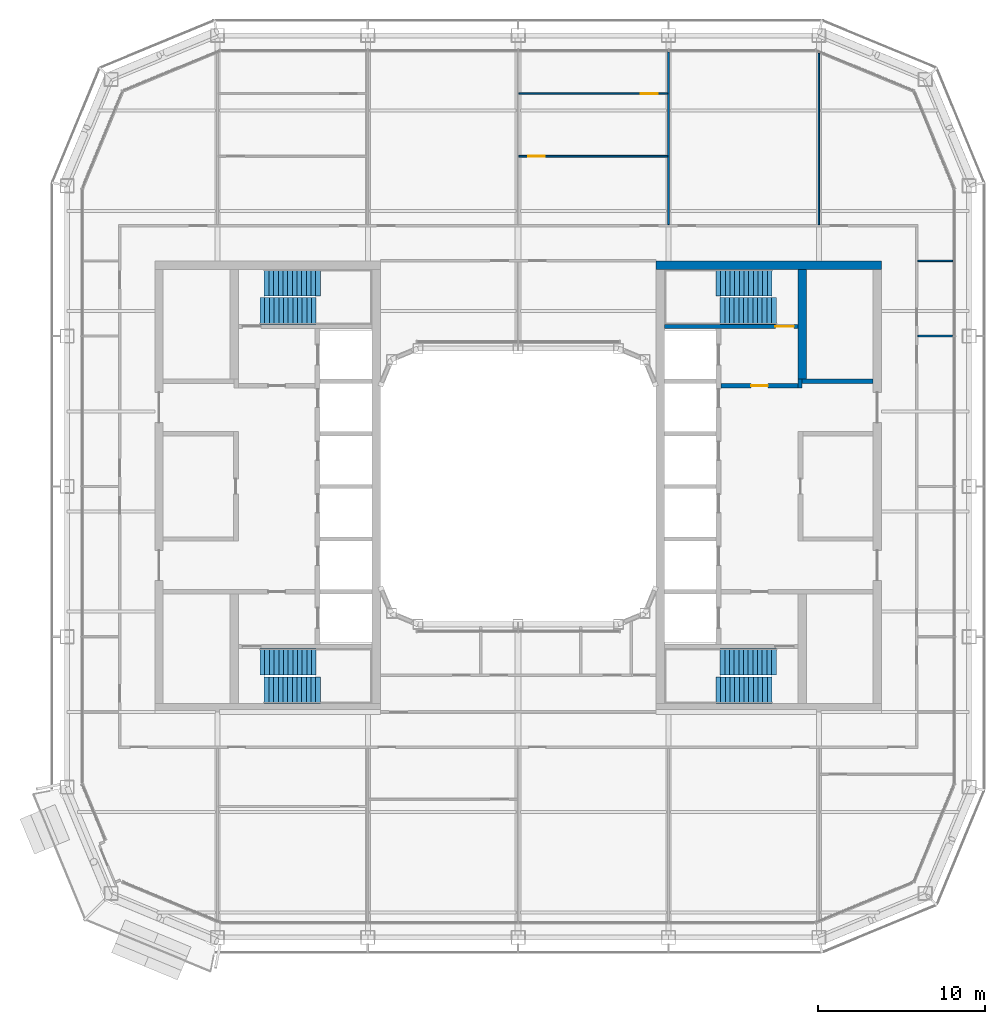
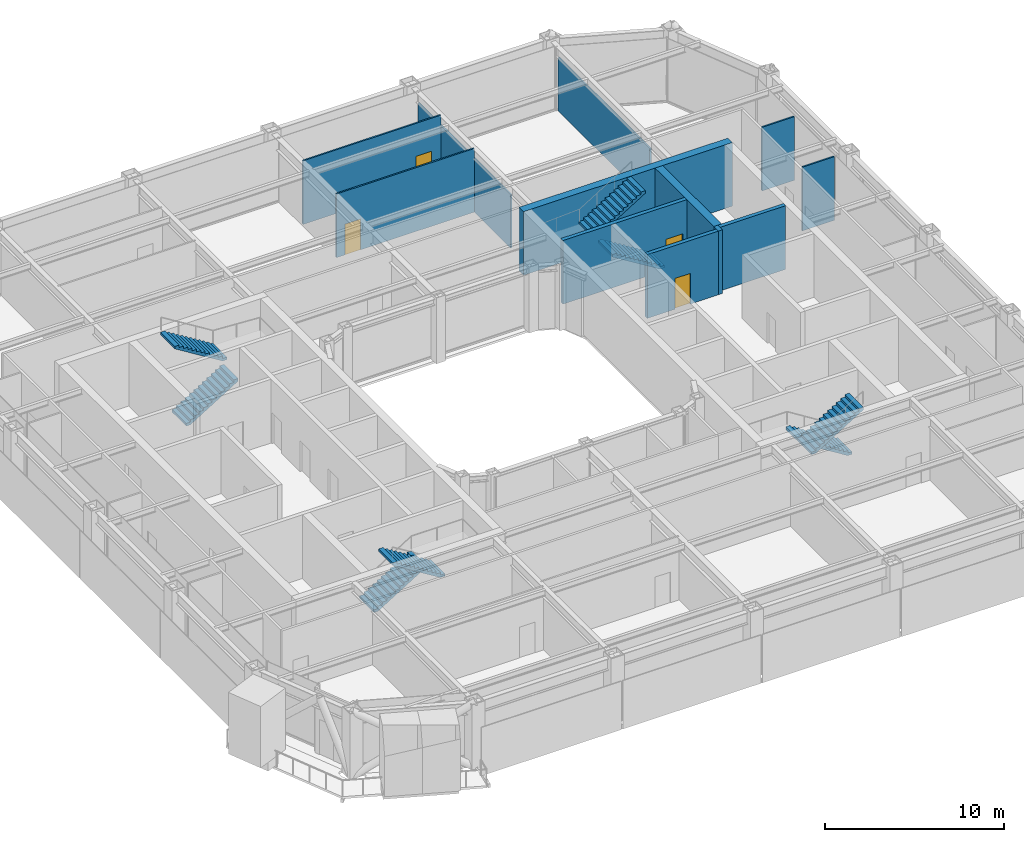
# One storey, part 16 of 23: 12 walls, 8 stair flights, 4 doors, 4 openings, 4 elements without a shape of their own.
"""IFC4 building model written with IfcOpenShell, lengths in metres."""

from ifc_helpers import new_model, si_unit, direction, frame, frame_2d, origin, place, context, subcontext, project, spatial, polyline, rectangle, outline, extrude, material, layer, layer_set, type_object, element, fill, aggregate, save


model = new_model("IFC4")

# Units and contexts
model_context = context("Model", 3, precision=1e-05, world=origin(), true_north=direction((0.0, 1.0)))
body_context = subcontext(model_context, "Body", "Model", "MODEL_VIEW")
ifc_project = project(units=[si_unit("LENGTHUNIT", "METRE"), si_unit("AREAUNIT", "SQUARE_METRE"), si_unit("VOLUMEUNIT", "CUBIC_METRE"), si_unit("PLANEANGLEUNIT", "RADIAN"), si_unit("MASSUNIT", "GRAM", prefix="KILO")], contexts=[model_context])

# Site, building, storey
site_placement = place(None, origin())
site = spatial("IfcSite", under=ifc_project, at=site_placement, CompositionType="ELEMENT")
building_placement = place(site_placement, origin())
building = spatial("IfcBuilding", under=site, at=building_placement, Name="Siwar Civic Tower", CompositionType="ELEMENT")
storey_placement = place(building_placement, frame((0.0, 0.0, 233.199951171875)))
storey = spatial("IfcBuildingStorey", under=building, at=storey_placement, Name="L50", CompositionType="ELEMENT", Elevation=233.199951171875)

# Wall, opening, door
ifc_material_1 = material(Name="Concrete C60/75", Category="concrete")
ifc_layer_1 = layer(ifc_material_1, 0.25)
ifc_layer_set_1 = layer_set([ifc_layer_1], Name="Concrete C60/75")
wall_type_1 = type_object("IfcWallType", Name="CORE-WALL-RC250", PredefinedType="SHEAR", material=ifc_layer_set_1)
wall_1_placement = place(storey_placement, frame((12.14990234375, 6.02490234375, 0.0), z_axis=(0.0, 0.0, 1.0), x_axis=(1.0, 0.0, 0.0)))
wall_1 = element("IfcWall", 1, at=wall_1_placement, inside=storey, type_object=wall_type_1, Name="Core wall E", PredefinedType="SHEAR", context=body_context, shape_type="SweptSolid", body=[
    extrude(rectangle(XDim=4.60009765625, YDim=0.25, at=frame_2d((2.300048828125, 0.0))), origin(), (0.0, 0.0, 1.0), 4.35009765625),
])
opening_1_placement = place(wall_1_placement, frame((1.800048828125, 0.0, 0.0)))
opening_1 = element("IfcOpeningElement", 2, at=opening_1_placement, cuts=wall_1, Name="Opening L50-CE01", PredefinedType="OPENING", context=body_context, shape_type="SweptSolid", body=[
    extrude(rectangle(XDim=1.0, YDim=2.10009765625, at=frame_2d((0.5, 1.050048828125))), frame((0.0, 0.135009765625, 0.0), z_axis=(0.0, -1.0, 0.0), x_axis=(1.0, 0.0, 0.0)), (0.0, 0.0, 1.0), 0.27001953125),
])
ifc_material_2 = material(Name="Steel door leaf", Category="steel")
door_type_1 = type_object("IfcDoorType", Name="CORE-DOOR-FD30S", OperationType="SINGLE_SWING_LEFT", PredefinedType="DOOR", material=ifc_material_2)
door_1_placement = place(opening_1_placement, origin())
door_1 = element("IfcDoor", 3, at=door_1_placement, inside=storey, type_object=door_type_1, Name="Firefighting lobby door L50-CE01", OperationType="SINGLE_SWING_RIGHT", OverallHeight=2.10009765625, OverallWidth=1.0, PredefinedType="DOOR", context=body_context, shape_type="SweptSolid", body=[
    extrude(rectangle(XDim=1.0, YDim=2.10009765625, at=frame_2d((0.5, 1.050048828125))), frame((0.0, 0.02490234375, 0.0), z_axis=(0.0, -1.0, 0.0), x_axis=(1.0, 0.0, 0.0)), (0.0, 0.0, 1.0), 0.050048828125),
])
fill(opening_1, door_1)

# Walls
wall_2_placement = place(storey_placement, frame((16.875, 5.89990234375, 0.0), z_axis=(0.0, 0.0, 1.0), x_axis=(0.0, 1.0, 0.0)))
element("IfcWall", 4, at=wall_2_placement, inside=storey, type_object=wall_type_1, Name="Core wall E", PredefinedType="SHEAR", context=body_context, shape_type="SweptSolid", body=[
    extrude(rectangle(XDim=0.525146484375, YDim=0.25, at=frame_2d((0.2626953125, 0.0))), origin(), (0.0, 0.0, 1.0), 4.35009765625),
])
wall_3_placement = place(storey_placement, frame((17.0, 6.300048828125, 0.0), z_axis=(0.0, 0.0, 1.0), x_axis=(1.0, 0.0, 0.0)))
element("IfcWall", 5, at=wall_3_placement, inside=storey, type_object=wall_type_1, Name="Core wall E", PredefinedType="SHEAR", context=body_context, shape_type="SweptSolid", body=[
    extrude(rectangle(XDim=4.25, YDim=0.25, at=frame_2d((2.125, 0.0))), origin(), (0.0, 0.0, 1.0), 4.35009765625),
])

# Wall, opening, door
wall_4_placement = place(storey_placement, frame((8.75, 9.574951171875, 0.0), z_axis=(0.0, 0.0, 1.0), x_axis=(1.0, 0.0, 0.0)))
wall_4 = element("IfcWall", 6, at=wall_4_placement, inside=storey, type_object=wall_type_1, Name="Core wall E", PredefinedType="SHEAR", context=body_context, shape_type="SweptSolid", body=[
    extrude(rectangle(XDim=8.0, YDim=0.25, at=frame_2d((4.0, 0.0))), origin(), (0.0, 0.0, 1.0), 4.35009765625),
])
opening_2_placement = place(wall_4_placement, frame((6.64990234375, 0.0, 0.0)))
opening_2 = element("IfcOpeningElement", 7, at=opening_2_placement, cuts=wall_4, Name="Opening L50-CE03", PredefinedType="OPENING", context=body_context, shape_type="SweptSolid", body=[
    extrude(rectangle(XDim=1.10009765625, YDim=2.10009765625, at=frame_2d((0.550048828125, 1.050048828125))), frame((0.0, 0.135009765625, 0.0), z_axis=(0.0, -1.0, 0.0), x_axis=(1.0, 0.0, 0.0)), (0.0, 0.0, 1.0), 0.27001953125),
])
ifc_material_3 = material(Name="Steel door leaf", Category="steel")
door_type_2 = type_object("IfcDoorType", Name="CORE-DOOR-FD60S", OperationType="SINGLE_SWING_LEFT", PredefinedType="DOOR", material=ifc_material_3)
door_2_placement = place(opening_2_placement, origin())
door_2 = element("IfcDoor", 8, at=door_2_placement, inside=storey, type_object=door_type_2, Name="Stair door L50-CE03", OperationType="SINGLE_SWING_LEFT", OverallHeight=2.10009765625, OverallWidth=1.10009765625, PredefinedType="DOOR", context=body_context, shape_type="SweptSolid", body=[
    extrude(rectangle(XDim=1.10009765625, YDim=2.10009765625, at=frame_2d((0.550048828125, 1.050048828125))), frame((0.0, 0.02490234375, 0.0), z_axis=(0.0, -1.0, 0.0), x_axis=(1.0, 0.0, 0.0)), (0.0, 0.0, 1.0), 0.050048828125),
])
fill(opening_2, door_2)

# Walls
ifc_material_4 = material(Name="Concrete C60/75", Category="concrete")
ifc_layer_2 = layer(ifc_material_4, 0.5)
ifc_layer_set_2 = layer_set([ifc_layer_2], Name="Concrete C60/75")
wall_type_2 = type_object("IfcWallType", Name="CORE-WALL-RC500", PredefinedType="SHEAR", material=ifc_layer_set_2)
wall_5_placement = place(storey_placement, frame((17.0, 6.425048828125, 0.0), z_axis=(0.0, 0.0, 1.0), x_axis=(0.0, 1.0, 0.0)))
element("IfcWall", 9, at=wall_5_placement, inside=storey, type_object=wall_type_2, Name="Core wall E", PredefinedType="SHEAR", context=body_context, shape_type="SweptSolid", body=[
    extrude(rectangle(XDim=6.574951171875, YDim=0.5, at=frame_2d((3.28759765625, 0.0))), origin(), (0.0, 0.0, 1.0), 4.35009765625),
])
wall_6_placement = place(storey_placement, frame((8.25, 13.25, 0.0), z_axis=(0.0, 0.0, 1.0), x_axis=(1.0, 0.0, 0.0)))
element("IfcWall", 10, at=wall_6_placement, inside=storey, type_object=wall_type_2, Name="Core wall E", PredefinedType="SHEAR", context=body_context, shape_type="SweptSolid", body=[
    extrude(rectangle(XDim=13.5, YDim=0.5, at=frame_2d((6.75, 0.0))), origin(), (0.0, 0.0, 1.0), 4.35009765625),
])
ifc_material_5 = material(Name="Gypsum board on steel studs", Category="steel")
ifc_layer_3 = layer(ifc_material_5, 0.10009765625)
ifc_layer_set_3 = layer_set([ifc_layer_3], Name="Gypsum board on steel studs")
wall_type_3 = type_object("IfcWallType", Name="PARTITION 100 GYPSUM", PredefinedType="PARTITIONING", material=ifc_layer_set_3)
for number, where, z_axis, x_axis, name in (
    (11, (23.925048828125, 9.0, 0.0), (0.0, 0.0, 1.0), (1.0, 0.0, 0.0), "L50/wall/P15"),
    (12, (23.925048828125, 13.5, 0.0), (0.0, 0.0, 1.0), (1.0, 0.0, 0.0), "L50/wall/P17"),
):
    element("IfcWall", number, at=place(storey_placement, frame(where, z_axis=z_axis, x_axis=x_axis)), inside=storey, type_object=wall_type_3, Name=name, PredefinedType="PARTITIONING", context=body_context, shape_type="SweptSolid", body=[
        extrude(rectangle(XDim=2.0849609375, YDim=0.10009765625, at=frame_2d((1.04248046875, 0.0))), origin(), (0.0, 0.0, 1.0), 4.35009765625),
    ])

# Wall, opening, door
wall_7_placement = place(storey_placement, frame((0.050048828125, 19.763916015625, 0.0), z_axis=(0.0, 0.0, 1.0), x_axis=(1.0, 0.0, 0.0)))
wall_7 = element("IfcWall", 13, at=wall_7_placement, inside=storey, type_object=wall_type_3, Name="L50/wall/P21", PredefinedType="PARTITIONING", context=body_context, shape_type="SweptSolid", body=[
    extrude(rectangle(XDim=8.89990234375, YDim=0.10009765625, at=frame_2d((4.449951171875, 0.0))), origin(), (0.0, 0.0, 1.0), 4.35009765625),
])
opening_3_placement = place(wall_7_placement, frame((0.550048828125, 0.0, 0.0)))
opening_3 = element("IfcOpeningElement", 14, at=opening_3_placement, cuts=wall_7, Name="Opening D2", PredefinedType="OPENING", context=body_context, shape_type="SweptSolid", body=[
    extrude(rectangle(XDim=1.0, YDim=2.10009765625, at=frame_2d((0.5, 1.050048828125))), frame((0.0, 0.06005859375, 0.0), z_axis=(0.0, -1.0, 0.0), x_axis=(1.0, 0.0, 0.0)), (0.0, 0.0, 1.0), 0.1201171875),
])
ifc_material_6 = material(Name="Timber, painted", Category="wood")
door_type_3 = type_object("IfcDoorType", Name="DOOR 1000 X 2100", OperationType="SINGLE_SWING_LEFT", PredefinedType="DOOR", material=ifc_material_6)
door_3_placement = place(opening_3_placement, origin())
door_3 = element("IfcDoor", 15, at=door_3_placement, inside=storey, type_object=door_type_3, Name="L50-D06", OperationType="SINGLE_SWING_RIGHT", OverallHeight=2.10009765625, OverallWidth=1.0, PredefinedType="DOOR", context=body_context, shape_type="SweptSolid", body=[
    extrude(rectangle(XDim=1.0, YDim=2.10009765625, at=frame_2d((0.5, 1.050048828125))), frame((0.0, 0.02490234375, 0.0), z_axis=(0.0, -1.0, 0.0), x_axis=(1.0, 0.0, 0.0)), (0.0, 0.0, 1.0), 0.050048828125),
])
fill(opening_3, door_3)

wall_8_placement = place(storey_placement, frame((0.050048828125, 23.511962890625, 0.0), z_axis=(0.0, 0.0, 1.0), x_axis=(1.0, 0.0, 0.0)))
wall_8 = element("IfcWall", 16, at=wall_8_placement, inside=storey, type_object=wall_type_3, Name="L50/wall/P23", PredefinedType="PARTITIONING", context=body_context, shape_type="SweptSolid", body=[
    extrude(rectangle(XDim=8.89990234375, YDim=0.10009765625, at=frame_2d((4.449951171875, 0.0))), origin(), (0.0, 0.0, 1.0), 4.35009765625),
])
opening_4_placement = place(wall_8_placement, frame((7.300048828125, 0.0, 0.0)))
opening_4 = element("IfcOpeningElement", 17, at=opening_4_placement, cuts=wall_8, Name="Opening D2", PredefinedType="OPENING", context=body_context, shape_type="SweptSolid", body=[
    extrude(rectangle(XDim=1.0, YDim=2.10009765625, at=frame_2d((0.5, 1.050048828125))), frame((0.0, 0.06005859375, 0.0), z_axis=(0.0, -1.0, 0.0), x_axis=(1.0, 0.0, 0.0)), (0.0, 0.0, 1.0), 0.1201171875),
])
door_4_placement = place(opening_4_placement, origin())
door_4 = element("IfcDoor", 18, at=door_4_placement, inside=storey, type_object=door_type_3, Name="L50-D07", OperationType="SINGLE_SWING_LEFT", OverallHeight=2.10009765625, OverallWidth=1.0, PredefinedType="DOOR", context=body_context, shape_type="SweptSolid", body=[
    extrude(rectangle(XDim=1.0, YDim=2.10009765625, at=frame_2d((0.5, 1.050048828125))), frame((0.0, 0.02490234375, 0.0), z_axis=(0.0, -1.0, 0.0), x_axis=(1.0, 0.0, 0.0)), (0.0, 0.0, 1.0), 0.050048828125),
])
fill(opening_4, door_4)

# Walls
wall_9_placement = place(storey_placement, frame((9.0, 15.675048828125, 0.0), z_axis=(0.0, 0.0, 1.0), x_axis=(0.0, 1.0, 0.0)))
element("IfcWall", 19, at=wall_9_placement, inside=storey, type_object=wall_type_3, Name="L50/wall/P36", PredefinedType="PARTITIONING", context=body_context, shape_type="SweptSolid", body=[
    extrude(rectangle(XDim=10.3349609375, YDim=0.10009765625, at=frame_2d((5.16748046875, 0.0))), origin(), (0.0, 0.0, 1.0), 3.650146484375),
])
wall_10_placement = place(storey_placement, frame((18.0, 15.675048828125, 0.0), z_axis=(0.0, 0.0, 1.0), x_axis=(0.0, 1.0, 0.0)))
element("IfcWall", 20, at=wall_10_placement, inside=storey, type_object=wall_type_3, Name="L50/wall/P38", PredefinedType="PARTITIONING", context=body_context, shape_type="SweptSolid", body=[
    extrude(rectangle(XDim=10.2529296875, YDim=0.10009765625, at=frame_2d((5.12646484375, 0.0))), origin(), (0.0, 0.0, 1.0), 3.650146484375),
])

# Stair, stair flights
ifc_material_7 = material(Name="Concrete C40/50", Category="concrete")
stair_type = type_object("IfcStairType", Name="CORE-STAIR", PredefinedType="TWO_STRAIGHT_RUN_STAIR", material=ifc_material_7)
stair_1_placement = place(storey_placement, origin())
stair_1 = element("IfcStair", 21, at=stair_1_placement, inside=storey, type_object=stair_type, Name="Exit stair ST1", PredefinedType="TWO_STRAIGHT_RUN_STAIR")
ifc_material_8 = material(Name="Concrete C40/50", Category="concrete")
stair_flight_type = type_object("IfcStairFlightType", Name="CORE-STAIR-FLIGHT", PredefinedType="STRAIGHT", material=ifc_material_8)
stair_flight_1_placement = place(storey_placement, frame((-15.449951171875, 10.5, 0.0), z_axis=(0.0, 0.0, 1.0), x_axis=(1.0, 0.0, 0.0)))
stair_flight_1 = element("IfcStairFlight", 22, at=stair_flight_1_placement, type_object=stair_flight_type, Name="ST1 flight 1", NumberOfRisers=13, NumberOfTreads=12, PredefinedType="STRAIGHT", RiserHeight=0.173076923, TreadLength=0.28, context=body_context, shape_type="SweptSolid", body=[
    extrude(outline(polyline([(0.0, 0.0), (0.0, 0.173095703125), (0.280029296875, 0.173095703125), (0.280029296875, 0.34619140625), (0.56005859375, 0.34619140625), (0.56005859375, 0.519287109375), (0.840087890625, 0.519287109375), (0.840087890625, 0.6923828125), (1.1201171875, 0.6923828125), (1.1201171875, 0.865478515625), (1.39990234375, 0.865478515625), (1.39990234375, 1.03857421875), (1.679931640625, 1.03857421875), (1.679931640625, 1.21142578125), (1.9599609375, 1.21142578125), (1.9599609375, 1.384521484375), (2.239990234375, 1.384521484375), (2.239990234375, 1.5576171875), (2.52001953125, 1.5576171875), (2.52001953125, 1.730712890625), (2.800048828125, 1.730712890625), (2.800048828125, 1.90380859375), (3.080078125, 1.90380859375), (3.080078125, 2.076904296875), (3.360107421875, 2.076904296875), (3.360107421875, 2.25), (3.360107421875, 1.900634765625), (0.28515625, 0.0), (0.0, 0.0)])), frame((0.0, 0.800048828125, 0.0), z_axis=(0.0, -1.0, 0.0), x_axis=(1.0, 0.0, 0.0)), (0.0, 0.0, 1.0), 1.60009765625),
])
stair_flight_2_placement = place(storey_placement, frame((-11.840087890625, 12.199951171875, 2.25), z_axis=(0.0, 0.0, 1.0), x_axis=(-1.0, 0.0, 0.0)))
stair_flight_2 = element("IfcStairFlight", 23, at=stair_flight_2_placement, type_object=stair_flight_type, Name="ST1 flight 2", NumberOfRisers=13, NumberOfTreads=12, PredefinedType="STRAIGHT", RiserHeight=0.173076923, TreadLength=0.28, context=body_context, shape_type="SweptSolid", body=[
    extrude(outline(polyline([(0.0, 0.0), (0.0, 0.173095703125), (0.280029296875, 0.173095703125), (0.280029296875, 0.34619140625), (0.56005859375, 0.34619140625), (0.56005859375, 0.519287109375), (0.840087890625, 0.519287109375), (0.840087890625, 0.6923828125), (1.1201171875, 0.6923828125), (1.1201171875, 0.865478515625), (1.39990234375, 0.865478515625), (1.39990234375, 1.03857421875), (1.679931640625, 1.03857421875), (1.679931640625, 1.21142578125), (1.9599609375, 1.21142578125), (1.9599609375, 1.384521484375), (2.239990234375, 1.384521484375), (2.239990234375, 1.5576171875), (2.52001953125, 1.5576171875), (2.52001953125, 1.730712890625), (2.800048828125, 1.730712890625), (2.800048828125, 1.90380859375), (3.080078125, 1.90380859375), (3.080078125, 2.076904296875), (3.360107421875, 2.076904296875), (3.360107421875, 2.25), (3.360107421875, 1.900634765625), (0.28515625, 0.0), (0.0, 0.0)])), frame((0.0, 0.800048828125, 0.0), z_axis=(0.0, -1.0, 0.0), x_axis=(1.0, 0.0, 0.0)), (0.0, 0.0, 1.0), 1.60009765625),
])
aggregate(stair_1, [stair_flight_1, stair_flight_2])

stair_2_placement = place(storey_placement, origin())
stair_2 = element("IfcStair", 24, at=stair_2_placement, inside=storey, type_object=stair_type, Name="Exit stair ST2", PredefinedType="TWO_STRAIGHT_RUN_STAIR")
stair_flight_3_placement = place(storey_placement, frame((-15.449951171875, -10.5, 0.0), z_axis=(0.0, 0.0, 1.0), x_axis=(1.0, 0.0, 0.0)))
stair_flight_3 = element("IfcStairFlight", 25, at=stair_flight_3_placement, type_object=stair_flight_type, Name="ST2 flight 1", NumberOfRisers=13, NumberOfTreads=12, PredefinedType="STRAIGHT", RiserHeight=0.173076923, TreadLength=0.28, context=body_context, shape_type="SweptSolid", body=[
    extrude(outline(polyline([(0.0, 0.0), (0.0, 0.173095703125), (0.280029296875, 0.173095703125), (0.280029296875, 0.34619140625), (0.56005859375, 0.34619140625), (0.56005859375, 0.519287109375), (0.840087890625, 0.519287109375), (0.840087890625, 0.6923828125), (1.1201171875, 0.6923828125), (1.1201171875, 0.865478515625), (1.39990234375, 0.865478515625), (1.39990234375, 1.03857421875), (1.679931640625, 1.03857421875), (1.679931640625, 1.21142578125), (1.9599609375, 1.21142578125), (1.9599609375, 1.384521484375), (2.239990234375, 1.384521484375), (2.239990234375, 1.5576171875), (2.52001953125, 1.5576171875), (2.52001953125, 1.730712890625), (2.800048828125, 1.730712890625), (2.800048828125, 1.90380859375), (3.080078125, 1.90380859375), (3.080078125, 2.076904296875), (3.360107421875, 2.076904296875), (3.360107421875, 2.25), (3.360107421875, 1.900634765625), (0.28515625, 0.0), (0.0, 0.0)])), frame((0.0, 0.800048828125, 0.0), z_axis=(0.0, -1.0, 0.0), x_axis=(1.0, 0.0, 0.0)), (0.0, 0.0, 1.0), 1.60009765625),
])
stair_flight_4_placement = place(storey_placement, frame((-11.840087890625, -12.199951171875, 2.25), z_axis=(0.0, 0.0, 1.0), x_axis=(-1.0, 0.0, 0.0)))
stair_flight_4 = element("IfcStairFlight", 26, at=stair_flight_4_placement, type_object=stair_flight_type, Name="ST2 flight 2", NumberOfRisers=13, NumberOfTreads=12, PredefinedType="STRAIGHT", RiserHeight=0.173076923, TreadLength=0.28, context=body_context, shape_type="SweptSolid", body=[
    extrude(outline(polyline([(0.0, 0.0), (0.0, 0.173095703125), (0.280029296875, 0.173095703125), (0.280029296875, 0.34619140625), (0.56005859375, 0.34619140625), (0.56005859375, 0.519287109375), (0.840087890625, 0.519287109375), (0.840087890625, 0.6923828125), (1.1201171875, 0.6923828125), (1.1201171875, 0.865478515625), (1.39990234375, 0.865478515625), (1.39990234375, 1.03857421875), (1.679931640625, 1.03857421875), (1.679931640625, 1.21142578125), (1.9599609375, 1.21142578125), (1.9599609375, 1.384521484375), (2.239990234375, 1.384521484375), (2.239990234375, 1.5576171875), (2.52001953125, 1.5576171875), (2.52001953125, 1.730712890625), (2.800048828125, 1.730712890625), (2.800048828125, 1.90380859375), (3.080078125, 1.90380859375), (3.080078125, 2.076904296875), (3.360107421875, 2.076904296875), (3.360107421875, 2.25), (3.360107421875, 1.900634765625), (0.28515625, 0.0), (0.0, 0.0)])), frame((0.0, 0.800048828125, 0.0), z_axis=(0.0, -1.0, 0.0), x_axis=(1.0, 0.0, 0.0)), (0.0, 0.0, 1.0), 1.60009765625),
])
aggregate(stair_2, [stair_flight_3, stair_flight_4])

stair_3_placement = place(storey_placement, origin())
stair_3 = element("IfcStair", 27, at=stair_3_placement, inside=storey, type_object=stair_type, Name="Exit stair ST3", PredefinedType="TWO_STRAIGHT_RUN_STAIR")
stair_flight_5_placement = place(storey_placement, frame((15.449951171875, 10.5, 0.0), z_axis=(0.0, 0.0, 1.0), x_axis=(-1.0, 0.0, 0.0)))
stair_flight_5 = element("IfcStairFlight", 28, at=stair_flight_5_placement, type_object=stair_flight_type, Name="ST3 flight 1", NumberOfRisers=13, NumberOfTreads=12, PredefinedType="STRAIGHT", RiserHeight=0.173076923, TreadLength=0.28, context=body_context, shape_type="SweptSolid", body=[
    extrude(outline(polyline([(0.0, 0.0), (0.0, 0.173095703125), (0.280029296875, 0.173095703125), (0.280029296875, 0.34619140625), (0.56005859375, 0.34619140625), (0.56005859375, 0.519287109375), (0.840087890625, 0.519287109375), (0.840087890625, 0.6923828125), (1.1201171875, 0.6923828125), (1.1201171875, 0.865478515625), (1.39990234375, 0.865478515625), (1.39990234375, 1.03857421875), (1.679931640625, 1.03857421875), (1.679931640625, 1.21142578125), (1.9599609375, 1.21142578125), (1.9599609375, 1.384521484375), (2.239990234375, 1.384521484375), (2.239990234375, 1.5576171875), (2.52001953125, 1.5576171875), (2.52001953125, 1.730712890625), (2.800048828125, 1.730712890625), (2.800048828125, 1.90380859375), (3.080078125, 1.90380859375), (3.080078125, 2.076904296875), (3.360107421875, 2.076904296875), (3.360107421875, 2.25), (3.360107421875, 1.900634765625), (0.28515625, 0.0), (0.0, 0.0)])), frame((0.0, 0.800048828125, 0.0), z_axis=(0.0, -1.0, 0.0), x_axis=(1.0, 0.0, 0.0)), (0.0, 0.0, 1.0), 1.60009765625),
])
stair_flight_6_placement = place(storey_placement, frame((11.840087890625, 12.199951171875, 2.25), z_axis=(0.0, 0.0, 1.0), x_axis=(1.0, 0.0, 0.0)))
stair_flight_6 = element("IfcStairFlight", 29, at=stair_flight_6_placement, type_object=stair_flight_type, Name="ST3 flight 2", NumberOfRisers=13, NumberOfTreads=12, PredefinedType="STRAIGHT", RiserHeight=0.173076923, TreadLength=0.28, context=body_context, shape_type="SweptSolid", body=[
    extrude(outline(polyline([(0.0, 0.0), (0.0, 0.173095703125), (0.280029296875, 0.173095703125), (0.280029296875, 0.34619140625), (0.56005859375, 0.34619140625), (0.56005859375, 0.519287109375), (0.840087890625, 0.519287109375), (0.840087890625, 0.6923828125), (1.1201171875, 0.6923828125), (1.1201171875, 0.865478515625), (1.39990234375, 0.865478515625), (1.39990234375, 1.03857421875), (1.679931640625, 1.03857421875), (1.679931640625, 1.21142578125), (1.9599609375, 1.21142578125), (1.9599609375, 1.384521484375), (2.239990234375, 1.384521484375), (2.239990234375, 1.5576171875), (2.52001953125, 1.5576171875), (2.52001953125, 1.730712890625), (2.800048828125, 1.730712890625), (2.800048828125, 1.90380859375), (3.080078125, 1.90380859375), (3.080078125, 2.076904296875), (3.360107421875, 2.076904296875), (3.360107421875, 2.25), (3.360107421875, 1.900634765625), (0.28515625, 0.0), (0.0, 0.0)])), frame((0.0, 0.800048828125, 0.0), z_axis=(0.0, -1.0, 0.0), x_axis=(1.0, 0.0, 0.0)), (0.0, 0.0, 1.0), 1.60009765625),
])
aggregate(stair_3, [stair_flight_5, stair_flight_6])

stair_4_placement = place(storey_placement, origin())
stair_4 = element("IfcStair", 30, at=stair_4_placement, inside=storey, type_object=stair_type, Name="Exit stair ST4", PredefinedType="TWO_STRAIGHT_RUN_STAIR")
stair_flight_7_placement = place(storey_placement, frame((15.449951171875, -10.5, 0.0), z_axis=(0.0, 0.0, 1.0), x_axis=(-1.0, 0.0, 0.0)))
stair_flight_7 = element("IfcStairFlight", 31, at=stair_flight_7_placement, type_object=stair_flight_type, Name="ST4 flight 1", NumberOfRisers=13, NumberOfTreads=12, PredefinedType="STRAIGHT", RiserHeight=0.173076923, TreadLength=0.28, context=body_context, shape_type="SweptSolid", body=[
    extrude(outline(polyline([(0.0, 0.0), (0.0, 0.173095703125), (0.280029296875, 0.173095703125), (0.280029296875, 0.34619140625), (0.56005859375, 0.34619140625), (0.56005859375, 0.519287109375), (0.840087890625, 0.519287109375), (0.840087890625, 0.6923828125), (1.1201171875, 0.6923828125), (1.1201171875, 0.865478515625), (1.39990234375, 0.865478515625), (1.39990234375, 1.03857421875), (1.679931640625, 1.03857421875), (1.679931640625, 1.21142578125), (1.9599609375, 1.21142578125), (1.9599609375, 1.384521484375), (2.239990234375, 1.384521484375), (2.239990234375, 1.5576171875), (2.52001953125, 1.5576171875), (2.52001953125, 1.730712890625), (2.800048828125, 1.730712890625), (2.800048828125, 1.90380859375), (3.080078125, 1.90380859375), (3.080078125, 2.076904296875), (3.360107421875, 2.076904296875), (3.360107421875, 2.25), (3.360107421875, 1.900634765625), (0.28515625, 0.0), (0.0, 0.0)])), frame((0.0, 0.800048828125, 0.0), z_axis=(0.0, -1.0, 0.0), x_axis=(1.0, 0.0, 0.0)), (0.0, 0.0, 1.0), 1.60009765625),
])
stair_flight_8_placement = place(storey_placement, frame((11.840087890625, -12.199951171875, 2.25), z_axis=(0.0, 0.0, 1.0), x_axis=(1.0, 0.0, 0.0)))
stair_flight_8 = element("IfcStairFlight", 32, at=stair_flight_8_placement, type_object=stair_flight_type, Name="ST4 flight 2", NumberOfRisers=13, NumberOfTreads=12, PredefinedType="STRAIGHT", RiserHeight=0.173076923, TreadLength=0.28, context=body_context, shape_type="SweptSolid", body=[
    extrude(outline(polyline([(0.0, 0.0), (0.0, 0.173095703125), (0.280029296875, 0.173095703125), (0.280029296875, 0.34619140625), (0.56005859375, 0.34619140625), (0.56005859375, 0.519287109375), (0.840087890625, 0.519287109375), (0.840087890625, 0.6923828125), (1.1201171875, 0.6923828125), (1.1201171875, 0.865478515625), (1.39990234375, 0.865478515625), (1.39990234375, 1.03857421875), (1.679931640625, 1.03857421875), (1.679931640625, 1.21142578125), (1.9599609375, 1.21142578125), (1.9599609375, 1.384521484375), (2.239990234375, 1.384521484375), (2.239990234375, 1.5576171875), (2.52001953125, 1.5576171875), (2.52001953125, 1.730712890625), (2.800048828125, 1.730712890625), (2.800048828125, 1.90380859375), (3.080078125, 1.90380859375), (3.080078125, 2.076904296875), (3.360107421875, 2.076904296875), (3.360107421875, 2.25), (3.360107421875, 1.900634765625), (0.28515625, 0.0), (0.0, 0.0)])), frame((0.0, 0.800048828125, 0.0), z_axis=(0.0, -1.0, 0.0), x_axis=(1.0, 0.0, 0.0)), (0.0, 0.0, 1.0), 1.60009765625),
])
aggregate(stair_4, [stair_flight_7, stair_flight_8])

save(model, "model.ifc")
